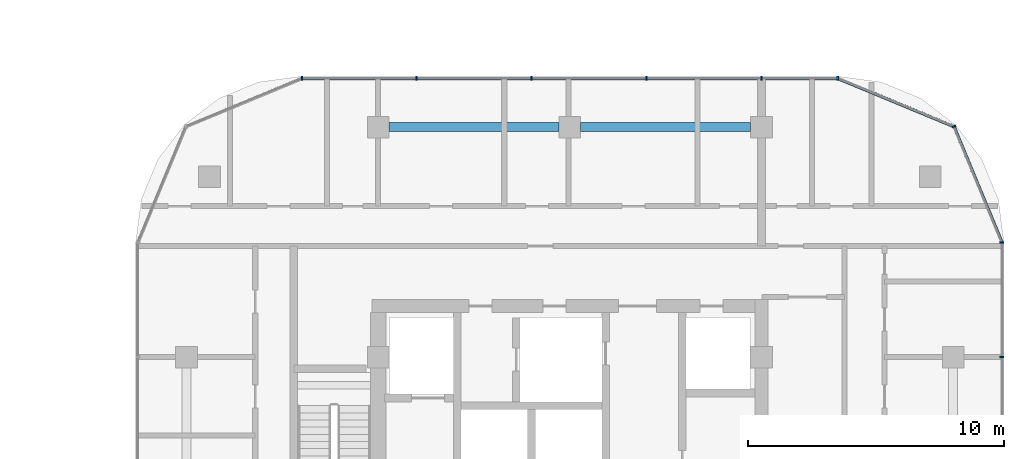
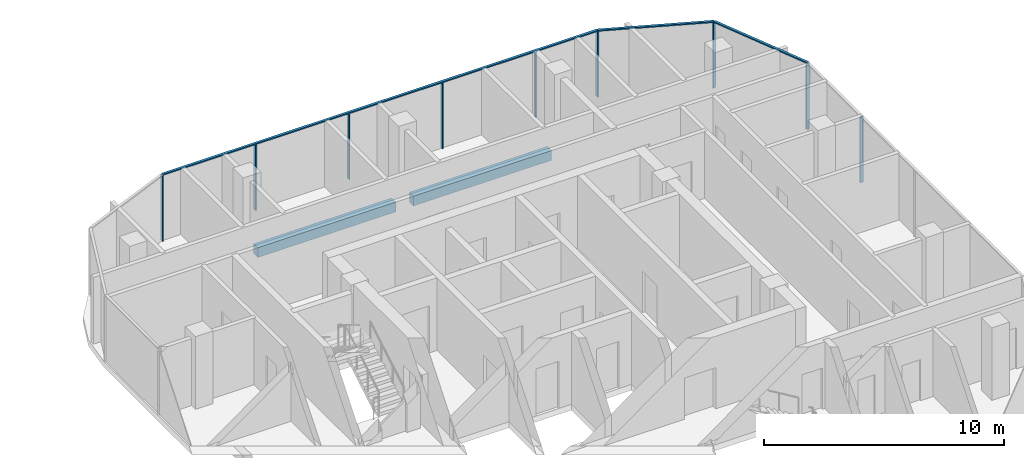
# One storey, part 13 of 32: 12 members, 2 beams, 3 elements without a shape of their own.
"""IFC4 building model written with IfcOpenShell, lengths in metres."""

from ifc_helpers import new_model, si_unit, direction, frame, origin, origin_2d, place, context, subcontext, project, spatial, rectangle, extrude, material, material_profile, profile_set, type_object, element, aggregate, save


model = new_model("IFC4")

# Units and contexts
model_context = context("Model", 3, precision=1e-05, world=origin(), true_north=direction((0.0, 1.0)))
body_context = subcontext(model_context, "Body", "Model", "MODEL_VIEW")
ifc_project = project(units=[si_unit("LENGTHUNIT", "METRE"), si_unit("AREAUNIT", "SQUARE_METRE"), si_unit("VOLUMEUNIT", "CUBIC_METRE"), si_unit("PLANEANGLEUNIT", "RADIAN"), si_unit("MASSUNIT", "GRAM", prefix="KILO")], contexts=[model_context])

# Site, building, storey
site_placement = place(None, origin())
site = spatial("IfcSite", under=ifc_project, at=site_placement, CompositionType="ELEMENT")
building_placement = place(site_placement, origin())
building = spatial("IfcBuilding", under=site, at=building_placement, Name="Ogive Portal Towers", CompositionType="ELEMENT")
storey_placement = place(building_placement, frame((0.0, 0.0, 59.39990234375)))
storey = spatial("IfcBuildingStorey", under=building, at=storey_placement, Name="L13", CompositionType="ELEMENT", Elevation=59.39990234375)

# Curtain wall, members
ifc_material_1 = material(Name="Glass, clear low-iron insulated glazing", Category="glass")
curtain_wall_type = type_object("IfcCurtainWallType", Name="CW RESIDENCES RIBBON", PredefinedType="NOTDEFINED", material=ifc_material_1)
curtain_wall_1_placement = place(storey_placement, origin())
curtain_wall_1 = element("IfcCurtainWall", 1, at=curtain_wall_1_placement, inside=storey, type_object=curtain_wall_type, Name="B:L13:f05:cw0", PredefinedType="NOTDEFINED")
ifc_material_2 = material(Name="Aluminium 6063 anodised", Category="aluminium")
ifc_material_profile_1 = material_profile(ifc_material_2, rectangle(XDim=0.159912109375, YDim=0.06005859375, at=origin_2d()), Name="AL 60x160")
ifc_profile_set_1 = profile_set([ifc_material_profile_1], Name="Aluminium 6063 anodised")
member_type_1 = type_object("IfcMemberType", Name="CW MULLION 60x160", PredefinedType="MULLION", material=ifc_profile_set_1)
member_1_placement = place(storey_placement, frame((153.409912109375, 35.5, 0.0), z_axis=(0.0, 0.0, 1.0), x_axis=(-1.0, 0.0, 0.0)))
member_1 = element("IfcMember", 2, at=member_1_placement, type_object=member_type_1, Name="mullion", PredefinedType="MULLION", context=body_context, shape_type="SweptSolid", body=[
    extrude(rectangle(XDim=0.159912109375, YDim=0.06005859375, at=origin_2d()), origin(), (0.0, 0.0, 1.0), 3.340087890625),
])
member_2_placement = place(storey_placement, frame((153.409912109375, 39.984130859375, 0.0), z_axis=(0.0, 0.0, 1.0), x_axis=(-1.0, 0.0, 0.0)))
member_2 = element("IfcMember", 3, at=member_2_placement, type_object=member_type_1, Name="mullion", PredefinedType="MULLION", context=body_context, shape_type="SweptSolid", body=[
    extrude(rectangle(XDim=0.159912109375, YDim=0.06005859375, at=origin_2d()), origin(), (0.0, 0.0, 1.0), 3.340087890625),
])
aggregate(curtain_wall_1, [member_1, member_2])

curtain_wall_2_placement = place(storey_placement, origin())
curtain_wall_2 = element("IfcCurtainWall", 4, at=curtain_wall_2_placement, inside=storey, type_object=curtain_wall_type, Name="B:L13:f08:cw0", PredefinedType="NOTDEFINED")
member_3_placement = place(storey_placement, frame((146.984130859375, 46.409912109375, 0.0), z_axis=(0.0, 0.0, 1.0), x_axis=(0.0, -1.0, 0.0)))
member_3 = element("IfcMember", 5, at=member_3_placement, type_object=member_type_1, Name="mullion", PredefinedType="MULLION", context=body_context, shape_type="SweptSolid", body=[
    extrude(rectangle(XDim=0.159912109375, YDim=0.06005859375, at=origin_2d()), origin(), (0.0, 0.0, 1.0), 3.340087890625),
])
member_4_placement = place(storey_placement, frame((144.0, 46.409912109375, 0.0), z_axis=(0.0, 0.0, 1.0), x_axis=(0.0, -1.0, 0.0)))
member_4 = element("IfcMember", 6, at=member_4_placement, type_object=member_type_1, Name="mullion", PredefinedType="MULLION", context=body_context, shape_type="SweptSolid", body=[
    extrude(rectangle(XDim=0.159912109375, YDim=0.06005859375, at=origin_2d()), origin(), (0.0, 0.0, 1.0), 3.340087890625),
])
member_5_placement = place(storey_placement, frame((139.5, 46.409912109375, 0.0), z_axis=(0.0, 0.0, 1.0), x_axis=(0.0, -1.0, 0.0)))
member_5 = element("IfcMember", 7, at=member_5_placement, type_object=member_type_1, Name="mullion", PredefinedType="MULLION", context=body_context, shape_type="SweptSolid", body=[
    extrude(rectangle(XDim=0.159912109375, YDim=0.06005859375, at=origin_2d()), origin(), (0.0, 0.0, 1.0), 3.340087890625),
])
member_6_placement = place(storey_placement, frame((135.0, 46.409912109375, 0.0), z_axis=(0.0, 0.0, 1.0), x_axis=(0.0, -1.0, 0.0)))
member_6 = element("IfcMember", 8, at=member_6_placement, type_object=member_type_1, Name="mullion", PredefinedType="MULLION", context=body_context, shape_type="SweptSolid", body=[
    extrude(rectangle(XDim=0.159912109375, YDim=0.06005859375, at=origin_2d()), origin(), (0.0, 0.0, 1.0), 3.340087890625),
])
member_7_placement = place(storey_placement, frame((130.5, 46.409912109375, 0.0), z_axis=(0.0, 0.0, 1.0), x_axis=(0.0, -1.0, 0.0)))
member_7 = element("IfcMember", 9, at=member_7_placement, type_object=member_type_1, Name="mullion", PredefinedType="MULLION", context=body_context, shape_type="SweptSolid", body=[
    extrude(rectangle(XDim=0.159912109375, YDim=0.06005859375, at=origin_2d()), origin(), (0.0, 0.0, 1.0), 3.340087890625),
])
member_8_placement = place(storey_placement, frame((126.015869140625, 46.409912109375, 0.0), z_axis=(0.0, 0.0, 1.0), x_axis=(0.0, -1.0, 0.0)))
member_8 = element("IfcMember", 10, at=member_8_placement, type_object=member_type_1, Name="mullion", PredefinedType="MULLION", context=body_context, shape_type="SweptSolid", body=[
    extrude(rectangle(XDim=0.159912109375, YDim=0.06005859375, at=origin_2d()), origin(), (0.0, 0.0, 1.0), 3.340087890625),
])

# Curtain wall, member
curtain_wall_3_placement = place(storey_placement, origin())
curtain_wall_3 = element("IfcCurtainWall", 11, at=curtain_wall_3_placement, inside=storey, type_object=curtain_wall_type, Name="B:L13:f06:cwa", PredefinedType="NOTDEFINED")
member_9_placement = place(storey_placement, frame((151.52783203125, 44.52783203125, 0.0), z_axis=(0.0, 0.0, 1.0), x_axis=(-0.923879532511, -0.382683432365, 0.0)))
member_9 = element("IfcMember", 12, at=member_9_placement, type_object=member_type_1, Name="mullion", PredefinedType="MULLION", context=body_context, shape_type="SweptSolid", body=[
    extrude(rectangle(XDim=0.159912109375, YDim=0.06005859375, at=origin_2d()), origin(), (0.0, 0.0, 1.0), 3.340087890625),
])

# Member
ifc_material_profile_2 = material_profile(ifc_material_2, rectangle(XDim=0.1201171875, YDim=0.06005859375, at=origin_2d()), Name="AL 120x60")
ifc_profile_set_2 = profile_set([ifc_material_profile_2], Name="Aluminium 6063 anodised")
member_type_2 = type_object("IfcMemberType", Name="CW TRANSOM 60x120", PredefinedType="USERDEFINED", material=ifc_profile_set_2)
member_10_placement = place(storey_placement, frame((146.984130859375, 46.409912109375, 3.3701171875), z_axis=(-1.0, 0.0, 0.0), x_axis=(0.0, -1.0, 0.0)))
member_10 = element("IfcMember", 13, at=member_10_placement, type_object=member_type_2, Name="transom", ObjectType="TRANSOM", PredefinedType="USERDEFINED", context=body_context, shape_type="SweptSolid", body=[
    extrude(rectangle(XDim=0.1201171875, YDim=0.06005859375, at=origin_2d()), origin(), (0.0, 0.0, 1.0), 20.96826171875),
])

aggregate(curtain_wall_2, [member_10, member_3, member_4, member_5, member_6, member_7, member_8])

member_11_placement = place(storey_placement, frame((153.409912109375, 39.984130859375, 3.3701171875), z_axis=(-0.382686457306, 0.923878279534, 0.0), x_axis=(-0.923878279534, -0.382686457306, 0.0)))
member_11 = element("IfcMember", 14, at=member_11_placement, type_object=member_type_2, Name="transom", ObjectType="TRANSOM", PredefinedType="USERDEFINED", context=body_context, shape_type="SweptSolid", body=[
    extrude(rectangle(XDim=0.1201171875, YDim=0.06005859375, at=origin_2d()), origin(), (0.0, 0.0, 1.0), 4.91796875),
])

member_12_placement = place(storey_placement, frame((151.52783203125, 44.52783203125, 3.3701171875), z_axis=(-0.923878279534, 0.382686457306, 0.0), x_axis=(-0.382686457306, -0.923878279534, 0.0)))
member_12 = element("IfcMember", 15, at=member_12_placement, type_object=member_type_2, Name="transom", ObjectType="TRANSOM", PredefinedType="USERDEFINED", context=body_context, shape_type="SweptSolid", body=[
    extrude(rectangle(XDim=0.1201171875, YDim=0.06005859375, at=origin_2d()), origin(), (0.0, 0.0, 1.0), 4.91796875),
])

aggregate(curtain_wall_3, [member_11, member_12, member_9])

# Beams
ifc_material_3 = material(Name="Concrete C50/60", Category="concrete")
ifc_material_profile_3 = material_profile(ifc_material_3, rectangle(XDim=0.35009765625, YDim=0.5, at=origin_2d()), Name="RC 350x500")
ifc_profile_set_3 = profile_set([ifc_material_profile_3], Name="Concrete C50/60")
beam_type = type_object("IfcBeamType", Name="SPANDREL BEAM RC 350x500", PredefinedType="BEAM", material=ifc_profile_set_3)
for number, where, z_axis, x_axis, name in (
    (16, (143.574951171875, 44.5, -0.5498046875), (-1.0, 0.0, 0.0), (0.0, -1.0, 0.0), "Spandrel beam L13"),
    (17, (136.074951171875, 44.5, -0.5498046875), (-1.0, 0.0, 0.0), (0.0, -1.0, 0.0), "Spandrel beam L13"),
):
    element("IfcBeam", number, at=place(storey_placement, frame(where, z_axis=z_axis, x_axis=x_axis)), inside=storey, type_object=beam_type, Name=name, PredefinedType="BEAM", context=body_context, shape_type="SweptSolid", body=[
        extrude(rectangle(XDim=0.35009765625, YDim=0.5, at=origin_2d()), origin(), (0.0, 0.0, 1.0), 6.64990234375),
    ])

save(model, "model.ifc")
